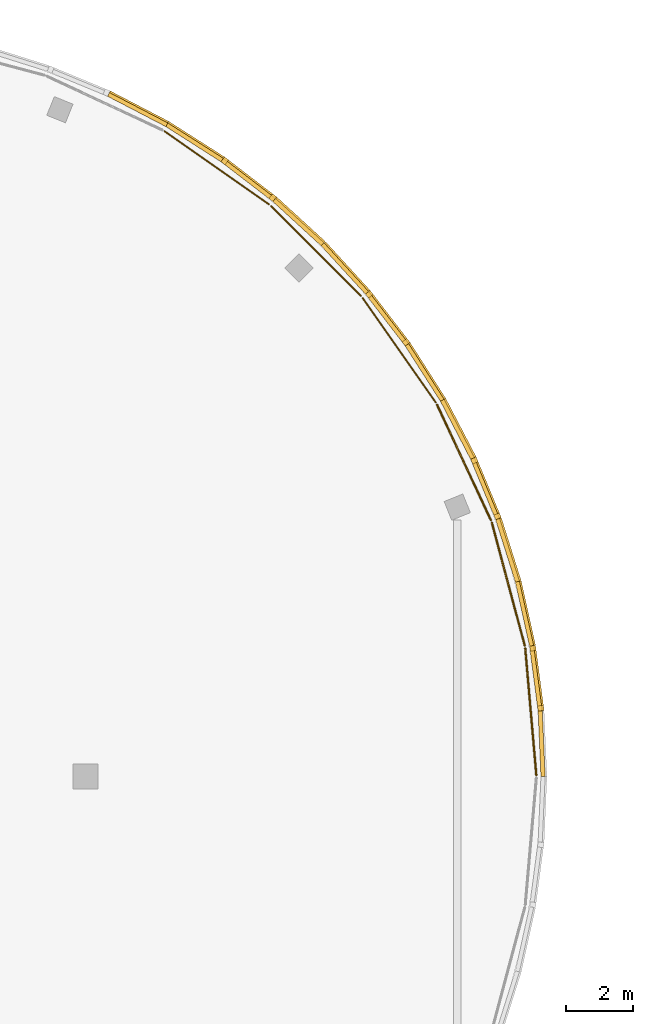
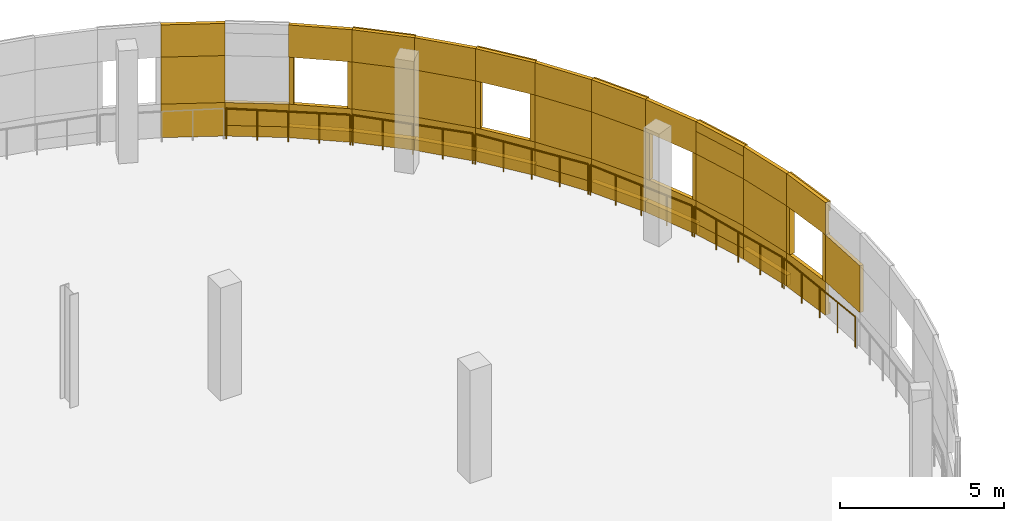
# One storey, part 102 of 103: 56 coverings, 6 railings.
"""IFC4 building model written with IfcOpenShell, lengths in metres."""

from ifc_helpers import new_model, si_unit, direction, frame, origin, origin_2d, place, context, subcontext, project, spatial, rectangle, circle, extrude, material, layer, layer_set, type_object, element, save


model = new_model("IFC4")

# Units and contexts
model_context = context("Model", 3, precision=1e-05, world=origin(), true_north=direction((0.0, 1.0)))
body_context = subcontext(model_context, "Body", "Model", "MODEL_VIEW")
ifc_project = project(units=[si_unit("LENGTHUNIT", "METRE"), si_unit("AREAUNIT", "SQUARE_METRE"), si_unit("VOLUMEUNIT", "CUBIC_METRE"), si_unit("PLANEANGLEUNIT", "RADIAN"), si_unit("MASSUNIT", "GRAM", prefix="KILO")], contexts=[model_context])

# Site, building, storey
site_placement = place(None, origin())
site = spatial("IfcSite", under=ifc_project, at=site_placement, CompositionType="ELEMENT")
building_placement = place(site_placement, origin())
building = spatial("IfcBuilding", under=site, at=building_placement, Name="Deido Ridge Mobility Hub", CompositionType="ELEMENT")
storey_placement = place(building_placement, frame((0.0, 0.0, 12.60009765625)))
storey = spatial("IfcBuildingStorey", under=building, at=storey_placement, Name="L03", CompositionType="ELEMENT", Elevation=12.60009765625)

# Coverings
ifc_material_1 = material(Name="Fired clay brick masonry", Category="masonry")
ifc_layer = layer(ifc_material_1, 0.114990234375, Name="Fired clay brick masonry")
ifc_layer_set = layer_set([ifc_layer], Name="Fired clay brick masonry")
covering_type = type_object("IfcCoveringType", Name="COV-BRK-SCREEN-115", PredefinedType="CLADDING", material=ifc_layer_set)
covering_1_placement = place(storey_placement, frame((139.40478515625, 104.478271484375, 1.25), z_axis=(0.0, 0.0, 1.0), x_axis=(-0.043601950678, 0.999048982732, 0.0)))
element("IfcCovering", 1, at=covering_1_placement, inside=storey, type_object=covering_type, Name="Curved raised brickwork pier BKS1 (L03)", PredefinedType="CLADDING", context=body_context, shape_type="SweptSolid", body=[
    extrude(rectangle(XDim=1.9619140625, YDim=0.125, at=origin_2d()), origin(), (0.0, 0.0, 1.0), 1.75),
])
covering_2_placement = place(storey_placement, frame((139.234375, 106.42724609375, 0.0), z_axis=(0.0, 0.0, 1.0), x_axis=(-0.130543496177, 0.991442583111, 0.0)))
element("IfcCovering", 2, at=covering_2_placement, inside=storey, type_object=covering_type, Name="Open brickwork spandrel course BKS1 (L03)", PredefinedType="CLADDING", context=body_context, shape_type="SweptSolid", body=[
    extrude(rectangle(XDim=1.9619140625, YDim=0.125, at=origin_2d()), origin(), (0.0, 0.0, 1.0), 1.25),
])
covering_3_placement = place(storey_placement, frame((139.26171875, 106.430908203125, 0.0), z_axis=(0.0, 0.0, 1.0), x_axis=(-0.130543496177, 0.991442583111, 0.0)))
element("IfcCovering", 3, at=covering_3_placement, inside=storey, type_object=covering_type, Name="Raised brick relief belt BKS1 (L03)", PredefinedType="CLADDING", context=body_context, shape_type="SweptSolid", body=[
    extrude(rectangle(XDim=1.9619140625, YDim=0.179931640625, at=origin_2d()), origin(), (0.0, 0.0, 1.0), 0.39990234375),
])
covering_4_placement = place(storey_placement, frame((139.234375, 106.42724609375, 3.0), z_axis=(0.0, 0.0, 1.0), x_axis=(-0.130543496177, 0.991442583111, 0.0)))
element("IfcCovering", 4, at=covering_4_placement, inside=storey, type_object=covering_type, Name="Open brickwork lintel course BKS1 (L03)", PredefinedType="CLADDING", context=body_context, shape_type="SweptSolid", body=[
    extrude(rectangle(XDim=1.9619140625, YDim=0.125, at=origin_2d()), origin(), (0.0, 0.0, 1.0), 1.199951171875),
])
covering_5_placement = place(storey_placement, frame((139.26171875, 106.430908203125, 3.83984375), z_axis=(0.0, 0.0, 1.0), x_axis=(-0.130543496177, 0.991442583111, 0.0)))
element("IfcCovering", 5, at=covering_5_placement, inside=storey, type_object=covering_type, Name="Raised brick relief cornice BKS1 (L03)", PredefinedType="CLADDING", context=body_context, shape_type="SweptSolid", body=[
    extrude(rectangle(XDim=1.9619140625, YDim=0.179931640625, at=origin_2d()), origin(), (0.0, 0.0, 1.0), 0.360107421875),
])
for number, where, z_axis, x_axis, name in (
    (6, (139.379150390625, 105.53759765625, 1.25), (0.0, 0.0, 1.0), (-0.130543496177, 0.991442583111, 0.0), "Curved brick jamb nib BKS1 (L03)"),
    (7, (139.14404296875, 107.32421875, 1.25), (0.0, 0.0, 1.0), (-0.130543496177, 0.991442583111, 0.0), "Curved brick jamb nib BKS1 (L03)"),
):
    element("IfcCovering", number, at=place(storey_placement, frame(where, z_axis=z_axis, x_axis=x_axis)), inside=storey, type_object=covering_type, Name=name, PredefinedType="CLADDING", context=body_context, shape_type="SweptSolid", body=[
        extrude(rectangle(XDim=0.152099609375, YDim=0.179931640625, at=origin_2d()), origin(), (0.0, 0.0, 1.0), 1.75),
    ])
covering_6_placement = place(storey_placement, frame((138.89453125, 108.35400390625, 0.0), z_axis=(0.0, 0.0, 1.0), x_axis=(-0.216456653485, 0.976292229387, 0.0)))
element("IfcCovering", 8, at=covering_6_placement, inside=storey, type_object=covering_type, Name="Open brickwork spandrel course BKS1 (L03)", PredefinedType="CLADDING", context=body_context, shape_type="SweptSolid", body=[
    extrude(rectangle(XDim=1.9619140625, YDim=0.125, at=origin_2d()), origin(), (0.0, 0.0, 1.0), 1.25),
])
covering_7_placement = place(storey_placement, frame((138.92138671875, 108.35986328125, 0.0), z_axis=(0.0, 0.0, 1.0), x_axis=(-0.216456653485, 0.976292229387, 0.0)))
element("IfcCovering", 9, at=covering_7_placement, inside=storey, type_object=covering_type, Name="Raised brick relief belt BKS1 (L03)", PredefinedType="CLADDING", context=body_context, shape_type="SweptSolid", body=[
    extrude(rectangle(XDim=1.9619140625, YDim=0.179931640625, at=origin_2d()), origin(), (0.0, 0.0, 1.0), 0.39990234375),
])
covering_8_placement = place(storey_placement, frame((138.89453125, 108.35400390625, 3.0), z_axis=(0.0, 0.0, 1.0), x_axis=(-0.216456653485, 0.976292229387, 0.0)))
element("IfcCovering", 10, at=covering_8_placement, inside=storey, type_object=covering_type, Name="Open brickwork lintel course BKS1 (L03)", PredefinedType="CLADDING", context=body_context, shape_type="SweptSolid", body=[
    extrude(rectangle(XDim=1.9619140625, YDim=0.125, at=origin_2d()), origin(), (0.0, 0.0, 1.0), 1.199951171875),
])
covering_9_placement = place(storey_placement, frame((138.89453125, 108.35400390625, 1.25), z_axis=(0.0, 0.0, 1.0), x_axis=(-0.216456653485, 0.976292229387, 0.0)))
element("IfcCovering", 11, at=covering_9_placement, inside=storey, type_object=covering_type, Name="Curved raised brickwork pier BKS1 (L03)", PredefinedType="CLADDING", context=body_context, shape_type="SweptSolid", body=[
    extrude(rectangle(XDim=1.9619140625, YDim=0.125, at=origin_2d()), origin(), (0.0, 0.0, 1.0), 1.75),
])
covering_10_placement = place(storey_placement, frame((138.38818359375, 110.24365234375, 0.0), z_axis=(0.0, 0.0, 1.0), x_axis=(-0.300672508319, 0.95372744678, 0.0)))
element("IfcCovering", 12, at=covering_10_placement, inside=storey, type_object=covering_type, Name="Open brickwork spandrel course BKS1 (L03)", PredefinedType="CLADDING", context=body_context, shape_type="SweptSolid", body=[
    extrude(rectangle(XDim=1.9619140625, YDim=0.125, at=origin_2d()), origin(), (0.0, 0.0, 1.0), 1.25),
])
covering_11_placement = place(storey_placement, frame((138.414306640625, 110.251953125, 0.0), z_axis=(0.0, 0.0, 1.0), x_axis=(-0.300672508319, 0.95372744678, 0.0)))
element("IfcCovering", 13, at=covering_11_placement, inside=storey, type_object=covering_type, Name="Raised brick relief belt BKS1 (L03)", PredefinedType="CLADDING", context=body_context, shape_type="SweptSolid", body=[
    extrude(rectangle(XDim=1.9619140625, YDim=0.179931640625, at=origin_2d()), origin(), (0.0, 0.0, 1.0), 0.39990234375),
])
covering_12_placement = place(storey_placement, frame((138.38818359375, 110.24365234375, 3.0), z_axis=(0.0, 0.0, 1.0), x_axis=(-0.300672508319, 0.95372744678, 0.0)))
element("IfcCovering", 14, at=covering_12_placement, inside=storey, type_object=covering_type, Name="Open brickwork lintel course BKS1 (L03)", PredefinedType="CLADDING", context=body_context, shape_type="SweptSolid", body=[
    extrude(rectangle(XDim=1.9619140625, YDim=0.125, at=origin_2d()), origin(), (0.0, 0.0, 1.0), 1.199951171875),
])
covering_13_placement = place(storey_placement, frame((138.414306640625, 110.251953125, 3.83984375), z_axis=(0.0, 0.0, 1.0), x_axis=(-0.300672508319, 0.95372744678, 0.0)))
element("IfcCovering", 15, at=covering_13_placement, inside=storey, type_object=covering_type, Name="Raised brick relief cornice BKS1 (L03)", PredefinedType="CLADDING", context=body_context, shape_type="SweptSolid", body=[
    extrude(rectangle(XDim=1.9619140625, YDim=0.179931640625, at=origin_2d()), origin(), (0.0, 0.0, 1.0), 0.360107421875),
])
covering_14_placement = place(storey_placement, frame((138.414306640625, 110.251953125, 1.25), z_axis=(0.0, 0.0, 1.0), x_axis=(-0.300672508319, 0.95372744678, 0.0)))
element("IfcCovering", 16, at=covering_14_placement, inside=storey, type_object=covering_type, Name="Curved raised brickwork pier BKS1 (L03)", PredefinedType="CLADDING", context=body_context, shape_type="SweptSolid", body=[
    extrude(rectangle(XDim=1.9619140625, YDim=0.179931640625, at=origin_2d()), origin(), (0.0, 0.0, 1.0), 1.75),
])
covering_15_placement = place(storey_placement, frame((137.718994140625, 112.08203125, 0.0), z_axis=(0.0, 0.0, 1.0), x_axis=(-0.382699557047, 0.923872853285, 0.0)))
element("IfcCovering", 17, at=covering_15_placement, inside=storey, type_object=covering_type, Name="Open brickwork spandrel course BKS1 (L03)", PredefinedType="CLADDING", context=body_context, shape_type="SweptSolid", body=[
    extrude(rectangle(XDim=1.9619140625, YDim=0.125, at=origin_2d()), origin(), (0.0, 0.0, 1.0), 1.25),
])
covering_16_placement = place(storey_placement, frame((137.744384765625, 112.0927734375, 0.0), z_axis=(0.0, 0.0, 1.0), x_axis=(-0.382699557047, 0.923872853285, 0.0)))
element("IfcCovering", 18, at=covering_16_placement, inside=storey, type_object=covering_type, Name="Raised brick relief belt BKS1 (L03)", PredefinedType="CLADDING", context=body_context, shape_type="SweptSolid", body=[
    extrude(rectangle(XDim=1.9619140625, YDim=0.179931640625, at=origin_2d()), origin(), (0.0, 0.0, 1.0), 0.39990234375),
])
covering_17_placement = place(storey_placement, frame((137.718994140625, 112.08203125, 3.0), z_axis=(0.0, 0.0, 1.0), x_axis=(-0.382699557047, 0.923872853285, 0.0)))
element("IfcCovering", 19, at=covering_17_placement, inside=storey, type_object=covering_type, Name="Open brickwork lintel course BKS1 (L03)", PredefinedType="CLADDING", context=body_context, shape_type="SweptSolid", body=[
    extrude(rectangle(XDim=1.9619140625, YDim=0.125, at=origin_2d()), origin(), (0.0, 0.0, 1.0), 1.199951171875),
])
for number, where, z_axis, x_axis, name in (
    (20, (138.08935546875, 111.26025390625, 1.25), (0.0, 0.0, 1.0), (-0.382699557047, 0.923872853285, 0.0), "Curved brick jamb nib BKS1 (L03)"),
    (21, (137.399658203125, 112.925048828125, 1.25), (0.0, 0.0, 1.0), (-0.382699557047, 0.923872853285, 0.0), "Curved brick jamb nib BKS1 (L03)"),
):
    element("IfcCovering", number, at=place(storey_placement, frame(where, z_axis=z_axis, x_axis=x_axis)), inside=storey, type_object=covering_type, Name=name, PredefinedType="CLADDING", context=body_context, shape_type="SweptSolid", body=[
        extrude(rectangle(XDim=0.152099609375, YDim=0.179931640625, at=origin_2d()), origin(), (0.0, 0.0, 1.0), 1.75),
    ])
covering_18_placement = place(storey_placement, frame((136.892333984375, 113.855224609375, 0.0), z_axis=(0.0, 0.0, 1.0), x_axis=(-0.461733131905, 0.887018892077, 0.0)))
element("IfcCovering", 22, at=covering_18_placement, inside=storey, type_object=covering_type, Name="Open brickwork spandrel course BKS1 (L03)", PredefinedType="CLADDING", context=body_context, shape_type="SweptSolid", body=[
    extrude(rectangle(XDim=1.9619140625, YDim=0.125, at=origin_2d()), origin(), (0.0, 0.0, 1.0), 1.25),
])
covering_19_placement = place(storey_placement, frame((136.916748046875, 113.867919921875, 0.0), z_axis=(0.0, 0.0, 1.0), x_axis=(-0.461733131905, 0.887018892077, 0.0)))
element("IfcCovering", 23, at=covering_19_placement, inside=storey, type_object=covering_type, Name="Raised brick relief belt BKS1 (L03)", PredefinedType="CLADDING", context=body_context, shape_type="SweptSolid", body=[
    extrude(rectangle(XDim=1.9619140625, YDim=0.179931640625, at=origin_2d()), origin(), (0.0, 0.0, 1.0), 0.39990234375),
])
covering_20_placement = place(storey_placement, frame((136.892333984375, 113.855224609375, 3.0), z_axis=(0.0, 0.0, 1.0), x_axis=(-0.461733131905, 0.887018892077, 0.0)))
element("IfcCovering", 24, at=covering_20_placement, inside=storey, type_object=covering_type, Name="Open brickwork lintel course BKS1 (L03)", PredefinedType="CLADDING", context=body_context, shape_type="SweptSolid", body=[
    extrude(rectangle(XDim=1.9619140625, YDim=0.125, at=origin_2d()), origin(), (0.0, 0.0, 1.0), 1.199951171875),
])
covering_21_placement = place(storey_placement, frame((136.916748046875, 113.867919921875, 3.83984375), z_axis=(0.0, 0.0, 1.0), x_axis=(-0.461733131905, 0.887018892077, 0.0)))
element("IfcCovering", 25, at=covering_21_placement, inside=storey, type_object=covering_type, Name="Raised brick relief cornice BKS1 (L03)", PredefinedType="CLADDING", context=body_context, shape_type="SweptSolid", body=[
    extrude(rectangle(XDim=1.9619140625, YDim=0.179931640625, at=origin_2d()), origin(), (0.0, 0.0, 1.0), 0.360107421875),
])
covering_22_placement = place(storey_placement, frame((136.916748046875, 113.867919921875, 1.25), z_axis=(0.0, 0.0, 1.0), x_axis=(-0.461733131905, 0.887018892077, 0.0)))
element("IfcCovering", 26, at=covering_22_placement, inside=storey, type_object=covering_type, Name="Curved raised brickwork pier BKS1 (L03)", PredefinedType="CLADDING", context=body_context, shape_type="SweptSolid", body=[
    extrude(rectangle(XDim=1.9619140625, YDim=0.179931640625, at=origin_2d()), origin(), (0.0, 0.0, 1.0), 1.75),
])
covering_23_placement = place(storey_placement, frame((135.9140625, 115.549560546875, 0.0), z_axis=(0.0, 0.0, 1.0), x_axis=(-0.537314328223, 0.843382068037, 0.0)))
element("IfcCovering", 27, at=covering_23_placement, inside=storey, type_object=covering_type, Name="Open brickwork spandrel course BKS1 (L03)", PredefinedType="CLADDING", context=body_context, shape_type="SweptSolid", body=[
    extrude(rectangle(XDim=1.9619140625, YDim=0.125, at=origin_2d()), origin(), (0.0, 0.0, 1.0), 1.25),
])
covering_24_placement = place(storey_placement, frame((135.937255859375, 115.564208984375, 0.0), z_axis=(0.0, 0.0, 1.0), x_axis=(-0.537314328223, 0.843382068037, 0.0)))
element("IfcCovering", 28, at=covering_24_placement, inside=storey, type_object=covering_type, Name="Raised brick relief belt BKS1 (L03)", PredefinedType="CLADDING", context=body_context, shape_type="SweptSolid", body=[
    extrude(rectangle(XDim=1.9619140625, YDim=0.179931640625, at=origin_2d()), origin(), (0.0, 0.0, 1.0), 0.39990234375),
])
covering_25_placement = place(storey_placement, frame((135.9140625, 115.549560546875, 3.0), z_axis=(0.0, 0.0, 1.0), x_axis=(-0.537314328223, 0.843382068037, 0.0)))
element("IfcCovering", 29, at=covering_25_placement, inside=storey, type_object=covering_type, Name="Open brickwork lintel course BKS1 (L03)", PredefinedType="CLADDING", context=body_context, shape_type="SweptSolid", body=[
    extrude(rectangle(XDim=1.9619140625, YDim=0.125, at=origin_2d()), origin(), (0.0, 0.0, 1.0), 1.199951171875),
])
covering_26_placement = place(storey_placement, frame((135.9140625, 115.549560546875, 1.25), z_axis=(0.0, 0.0, 1.0), x_axis=(-0.537314328223, 0.843382068037, 0.0)))
element("IfcCovering", 30, at=covering_26_placement, inside=storey, type_object=covering_type, Name="Curved raised brickwork pier BKS1 (L03)", PredefinedType="CLADDING", context=body_context, shape_type="SweptSolid", body=[
    extrude(rectangle(XDim=1.9619140625, YDim=0.125, at=origin_2d()), origin(), (0.0, 0.0, 1.0), 1.75),
])
covering_27_placement = place(storey_placement, frame((134.7919921875, 117.152099609375, 0.0), z_axis=(0.0, 0.0, 1.0), x_axis=(-0.608761429009, 0.793353340291, 0.0)))
element("IfcCovering", 31, at=covering_27_placement, inside=storey, type_object=covering_type, Name="Open brickwork spandrel course BKS1 (L03)", PredefinedType="CLADDING", context=body_context, shape_type="SweptSolid", body=[
    extrude(rectangle(XDim=1.9619140625, YDim=0.125, at=origin_2d()), origin(), (0.0, 0.0, 1.0), 1.25),
])
covering_28_placement = place(storey_placement, frame((134.813720703125, 117.1689453125, 0.0), z_axis=(0.0, 0.0, 1.0), x_axis=(-0.608761429009, 0.793353340291, 0.0)))
element("IfcCovering", 32, at=covering_28_placement, inside=storey, type_object=covering_type, Name="Raised brick relief belt BKS1 (L03)", PredefinedType="CLADDING", context=body_context, shape_type="SweptSolid", body=[
    extrude(rectangle(XDim=1.9619140625, YDim=0.179931640625, at=origin_2d()), origin(), (0.0, 0.0, 1.0), 0.39990234375),
])
covering_29_placement = place(storey_placement, frame((134.7919921875, 117.152099609375, 3.0), z_axis=(0.0, 0.0, 1.0), x_axis=(-0.608761429009, 0.793353340291, 0.0)))
element("IfcCovering", 33, at=covering_29_placement, inside=storey, type_object=covering_type, Name="Open brickwork lintel course BKS1 (L03)", PredefinedType="CLADDING", context=body_context, shape_type="SweptSolid", body=[
    extrude(rectangle(XDim=1.9619140625, YDim=0.125, at=origin_2d()), origin(), (0.0, 0.0, 1.0), 1.199951171875),
])
covering_30_placement = place(storey_placement, frame((134.813720703125, 117.1689453125, 3.83984375), z_axis=(0.0, 0.0, 1.0), x_axis=(-0.608761429009, 0.793353340291, 0.0)))
element("IfcCovering", 34, at=covering_30_placement, inside=storey, type_object=covering_type, Name="Raised brick relief cornice BKS1 (L03)", PredefinedType="CLADDING", context=body_context, shape_type="SweptSolid", body=[
    extrude(rectangle(XDim=1.9619140625, YDim=0.179931640625, at=origin_2d()), origin(), (0.0, 0.0, 1.0), 0.360107421875),
])
for number, where, z_axis, x_axis, name in (
    (35, (135.3623046875, 116.4541015625, 1.25), (0.0, 0.0, 1.0), (-0.608761429009, 0.793353340291, 0.0), "Curved brick jamb nib BKS1 (L03)"),
    (36, (134.26513671875, 117.8837890625, 1.25), (0.0, 0.0, 1.0), (-0.608761429009, 0.793353340291, 0.0), "Curved brick jamb nib BKS1 (L03)"),
):
    element("IfcCovering", number, at=place(storey_placement, frame(where, z_axis=z_axis, x_axis=x_axis)), inside=storey, type_object=covering_type, Name=name, PredefinedType="CLADDING", context=body_context, shape_type="SweptSolid", body=[
        extrude(rectangle(XDim=0.152099609375, YDim=0.179931640625, at=origin_2d()), origin(), (0.0, 0.0, 1.0), 1.75),
    ])
covering_31_placement = place(storey_placement, frame((133.5341796875, 118.65087890625, 0.0), z_axis=(0.0, 0.0, 1.0), x_axis=(-0.675577339596, 0.737289127971, 0.0)))
element("IfcCovering", 37, at=covering_31_placement, inside=storey, type_object=covering_type, Name="Open brickwork spandrel course BKS1 (L03)", PredefinedType="CLADDING", context=body_context, shape_type="SweptSolid", body=[
    extrude(rectangle(XDim=1.9619140625, YDim=0.125, at=origin_2d()), origin(), (0.0, 0.0, 1.0), 1.25),
])
covering_32_placement = place(storey_placement, frame((133.5546875, 118.66943359375, 0.0), z_axis=(0.0, 0.0, 1.0), x_axis=(-0.675577339596, 0.737289127971, 0.0)))
element("IfcCovering", 38, at=covering_32_placement, inside=storey, type_object=covering_type, Name="Raised brick relief belt BKS1 (L03)", PredefinedType="CLADDING", context=body_context, shape_type="SweptSolid", body=[
    extrude(rectangle(XDim=1.9619140625, YDim=0.179931640625, at=origin_2d()), origin(), (0.0, 0.0, 1.0), 0.39990234375),
])
covering_33_placement = place(storey_placement, frame((133.5341796875, 118.65087890625, 3.0), z_axis=(0.0, 0.0, 1.0), x_axis=(-0.675577339596, 0.737289127971, 0.0)))
element("IfcCovering", 39, at=covering_33_placement, inside=storey, type_object=covering_type, Name="Open brickwork lintel course BKS1 (L03)", PredefinedType="CLADDING", context=body_context, shape_type="SweptSolid", body=[
    extrude(rectangle(XDim=1.9619140625, YDim=0.125, at=origin_2d()), origin(), (0.0, 0.0, 1.0), 1.199951171875),
])
covering_34_placement = place(storey_placement, frame((133.5341796875, 118.65087890625, 1.25), z_axis=(0.0, 0.0, 1.0), x_axis=(-0.675577339596, 0.737289127971, 0.0)))
element("IfcCovering", 40, at=covering_34_placement, inside=storey, type_object=covering_type, Name="Curved raised brickwork pier BKS1 (L03)", PredefinedType="CLADDING", context=body_context, shape_type="SweptSolid", body=[
    extrude(rectangle(XDim=1.9619140625, YDim=0.125, at=origin_2d()), origin(), (0.0, 0.0, 1.0), 1.75),
])
covering_35_placement = place(storey_placement, frame((132.15087890625, 120.0341796875, 0.0), z_axis=(0.0, 0.0, 1.0), x_axis=(-0.737289127971, 0.675577339596, 0.0)))
element("IfcCovering", 41, at=covering_35_placement, inside=storey, type_object=covering_type, Name="Open brickwork spandrel course BKS1 (L03)", PredefinedType="CLADDING", context=body_context, shape_type="SweptSolid", body=[
    extrude(rectangle(XDim=1.9619140625, YDim=0.125, at=origin_2d()), origin(), (0.0, 0.0, 1.0), 1.25),
])
covering_36_placement = place(storey_placement, frame((132.16943359375, 120.0546875, 0.0), z_axis=(0.0, 0.0, 1.0), x_axis=(-0.737289127971, 0.675577339596, 0.0)))
element("IfcCovering", 42, at=covering_36_placement, inside=storey, type_object=covering_type, Name="Raised brick relief belt BKS1 (L03)", PredefinedType="CLADDING", context=body_context, shape_type="SweptSolid", body=[
    extrude(rectangle(XDim=1.9619140625, YDim=0.179931640625, at=origin_2d()), origin(), (0.0, 0.0, 1.0), 0.39990234375),
])
covering_37_placement = place(storey_placement, frame((132.15087890625, 120.0341796875, 3.0), z_axis=(0.0, 0.0, 1.0), x_axis=(-0.737289127971, 0.675577339596, 0.0)))
element("IfcCovering", 43, at=covering_37_placement, inside=storey, type_object=covering_type, Name="Open brickwork lintel course BKS1 (L03)", PredefinedType="CLADDING", context=body_context, shape_type="SweptSolid", body=[
    extrude(rectangle(XDim=1.9619140625, YDim=0.125, at=origin_2d()), origin(), (0.0, 0.0, 1.0), 1.199951171875),
])
covering_38_placement = place(storey_placement, frame((132.16943359375, 120.0546875, 3.83984375), z_axis=(0.0, 0.0, 1.0), x_axis=(-0.737289127971, 0.675577339596, 0.0)))
element("IfcCovering", 44, at=covering_38_placement, inside=storey, type_object=covering_type, Name="Raised brick relief cornice BKS1 (L03)", PredefinedType="CLADDING", context=body_context, shape_type="SweptSolid", body=[
    extrude(rectangle(XDim=1.9619140625, YDim=0.179931640625, at=origin_2d()), origin(), (0.0, 0.0, 1.0), 0.360107421875),
])
covering_39_placement = place(storey_placement, frame((132.16943359375, 120.0546875, 1.25), z_axis=(0.0, 0.0, 1.0), x_axis=(-0.737289127971, 0.675577339596, 0.0)))
element("IfcCovering", 45, at=covering_39_placement, inside=storey, type_object=covering_type, Name="Curved raised brickwork pier BKS1 (L03)", PredefinedType="CLADDING", context=body_context, shape_type="SweptSolid", body=[
    extrude(rectangle(XDim=1.9619140625, YDim=0.179931640625, at=origin_2d()), origin(), (0.0, 0.0, 1.0), 1.75),
])
covering_40_placement = place(storey_placement, frame((130.652099609375, 121.2919921875, 0.0), z_axis=(0.0, 0.0, 1.0), x_axis=(-0.793353340291, 0.608761429009, 0.0)))
element("IfcCovering", 46, at=covering_40_placement, inside=storey, type_object=covering_type, Name="Open brickwork spandrel course BKS1 (L03)", PredefinedType="CLADDING", context=body_context, shape_type="SweptSolid", body=[
    extrude(rectangle(XDim=1.9619140625, YDim=0.125, at=origin_2d()), origin(), (0.0, 0.0, 1.0), 1.25),
])
covering_41_placement = place(storey_placement, frame((130.6689453125, 121.313720703125, 0.0), z_axis=(0.0, 0.0, 1.0), x_axis=(-0.793353340291, 0.608761429009, 0.0)))
element("IfcCovering", 47, at=covering_41_placement, inside=storey, type_object=covering_type, Name="Raised brick relief belt BKS1 (L03)", PredefinedType="CLADDING", context=body_context, shape_type="SweptSolid", body=[
    extrude(rectangle(XDim=1.9619140625, YDim=0.179931640625, at=origin_2d()), origin(), (0.0, 0.0, 1.0), 0.39990234375),
])
covering_42_placement = place(storey_placement, frame((130.652099609375, 121.2919921875, 3.0), z_axis=(0.0, 0.0, 1.0), x_axis=(-0.793353340291, 0.608761429009, 0.0)))
element("IfcCovering", 48, at=covering_42_placement, inside=storey, type_object=covering_type, Name="Open brickwork lintel course BKS1 (L03)", PredefinedType="CLADDING", context=body_context, shape_type="SweptSolid", body=[
    extrude(rectangle(XDim=1.9619140625, YDim=0.125, at=origin_2d()), origin(), (0.0, 0.0, 1.0), 1.199951171875),
])
for number, where, z_axis, x_axis, name in (
    (49, (131.3837890625, 120.76513671875, 1.25), (0.0, 0.0, 1.0), (-0.793353340291, 0.608761429009, 0.0), "Curved brick jamb nib BKS1 (L03)"),
    (50, (129.9541015625, 121.8623046875, 1.25), (0.0, 0.0, 1.0), (-0.793353340291, 0.608761429009, 0.0), "Curved brick jamb nib BKS1 (L03)"),
):
    element("IfcCovering", number, at=place(storey_placement, frame(where, z_axis=z_axis, x_axis=x_axis)), inside=storey, type_object=covering_type, Name=name, PredefinedType="CLADDING", context=body_context, shape_type="SweptSolid", body=[
        extrude(rectangle(XDim=0.152099609375, YDim=0.179931640625, at=origin_2d()), origin(), (0.0, 0.0, 1.0), 1.75),
    ])
covering_43_placement = place(storey_placement, frame((129.049560546875, 122.4140625, 0.0), z_axis=(0.0, 0.0, 1.0), x_axis=(-0.843382068037, 0.537314328223, 0.0)))
element("IfcCovering", 51, at=covering_43_placement, inside=storey, type_object=covering_type, Name="Open brickwork spandrel course BKS1 (L03)", PredefinedType="CLADDING", context=body_context, shape_type="SweptSolid", body=[
    extrude(rectangle(XDim=1.9619140625, YDim=0.125, at=origin_2d()), origin(), (0.0, 0.0, 1.0), 1.25),
])
covering_44_placement = place(storey_placement, frame((129.064208984375, 122.437255859375, 0.0), z_axis=(0.0, 0.0, 1.0), x_axis=(-0.843382068037, 0.537314328223, 0.0)))
element("IfcCovering", 52, at=covering_44_placement, inside=storey, type_object=covering_type, Name="Raised brick relief belt BKS1 (L03)", PredefinedType="CLADDING", context=body_context, shape_type="SweptSolid", body=[
    extrude(rectangle(XDim=1.9619140625, YDim=0.179931640625, at=origin_2d()), origin(), (0.0, 0.0, 1.0), 0.39990234375),
])
covering_45_placement = place(storey_placement, frame((127.355224609375, 123.392333984375, 0.0), z_axis=(0.0, 0.0, 1.0), x_axis=(-0.887018892077, 0.461733131905, 0.0)))
element("IfcCovering", 53, at=covering_45_placement, inside=storey, type_object=covering_type, Name="Open brickwork spandrel course BKS1 (L03)", PredefinedType="CLADDING", context=body_context, shape_type="SweptSolid", body=[
    extrude(rectangle(XDim=1.9619140625, YDim=0.125, at=origin_2d()), origin(), (0.0, 0.0, 1.0), 1.25),
])
covering_46_placement = place(storey_placement, frame((127.367919921875, 123.416748046875, 0.0), z_axis=(0.0, 0.0, 1.0), x_axis=(-0.887018892077, 0.461733131905, 0.0)))
element("IfcCovering", 54, at=covering_46_placement, inside=storey, type_object=covering_type, Name="Raised brick relief belt BKS1 (L03)", PredefinedType="CLADDING", context=body_context, shape_type="SweptSolid", body=[
    extrude(rectangle(XDim=1.9619140625, YDim=0.179931640625, at=origin_2d()), origin(), (0.0, 0.0, 1.0), 0.39990234375),
])
covering_47_placement = place(storey_placement, frame((127.355224609375, 123.392333984375, 3.0), z_axis=(0.0, 0.0, 1.0), x_axis=(-0.887018892077, 0.461733131905, 0.0)))
element("IfcCovering", 55, at=covering_47_placement, inside=storey, type_object=covering_type, Name="Open brickwork lintel course BKS1 (L03)", PredefinedType="CLADDING", context=body_context, shape_type="SweptSolid", body=[
    extrude(rectangle(XDim=1.9619140625, YDim=0.125, at=origin_2d()), origin(), (0.0, 0.0, 1.0), 1.199951171875),
])
covering_48_placement = place(storey_placement, frame((127.355224609375, 123.392333984375, 1.25), z_axis=(0.0, 0.0, 1.0), x_axis=(-0.887018892077, 0.461733131905, 0.0)))
element("IfcCovering", 56, at=covering_48_placement, inside=storey, type_object=covering_type, Name="Curved raised brickwork pier BKS1 (L03)", PredefinedType="CLADDING", context=body_context, shape_type="SweptSolid", body=[
    extrude(rectangle(XDim=1.9619140625, YDim=0.125, at=origin_2d()), origin(), (0.0, 0.0, 1.0), 1.75),
])

# Railings
ifc_material_2 = material(Name="Galvanised steel work", Category="steel")
railing_type = type_object("IfcRailingType", Name="RL-GRD-EXT-1150", PredefinedType="GUARDRAIL", material=ifc_material_2)
railing_1_placement = place(storey_placement, frame((139.24658203125, 103.539794921875, 0.0)))
element("IfcRailing", 57, at=railing_1_placement, inside=storey, type_object=railing_type, Name="Parking drum perimeter guard (L03)", PredefinedType="GUARDRAIL", context=body_context, shape_type="SweptSolid", body=[
    extrude(circle(Radius=0.02392578125, at=origin_2d()), frame((0.0, 0.0, 1.1259765625), z_axis=(-0.08715100469, 0.996195112607, 0.0), x_axis=(-0.996195112607, -0.08715100469, 0.0)), (0.0, 0.0, 1.0), 3.798583984375),
    extrude(circle(Radius=0.02099609375, at=origin_2d()), origin(), (0.0, 0.0, 1.0), 1.101806640625),
    extrude(circle(Radius=0.02099609375, at=origin_2d()), frame((-0.082763671875, 0.946044921875, 0.0)), (0.0, 0.0, 1.0), 1.101806640625),
    extrude(circle(Radius=0.02099609375, at=origin_2d()), frame((-0.16552734375, 1.89208984375, 0.0)), (0.0, 0.0, 1.0), 1.101806640625),
    extrude(circle(Radius=0.02099609375, at=origin_2d()), frame((-0.248291015625, 2.838134765625, 0.0)), (0.0, 0.0, 1.0), 1.101806640625),
    extrude(circle(Radius=0.02099609375, at=origin_2d()), frame((-0.3310546875, 3.7841796875, 0.0)), (0.0, 0.0, 1.0), 1.101806640625),
])
railing_2_placement = place(storey_placement, frame((138.901611328125, 107.40234375, 0.0)))
element("IfcRailing", 58, at=railing_2_placement, inside=storey, type_object=railing_type, Name="Parking drum perimeter guard (L03)", PredefinedType="GUARDRAIL", context=body_context, shape_type="SweptSolid", body=[
    extrude(circle(Radius=0.02392578125, at=origin_2d()), frame((0.0, 0.0, 1.1259765625), z_axis=(-0.258774639064, 0.965937723757, 0.0), x_axis=(-0.965937723757, -0.258774639064, 0.0)), (0.0, 0.0, 1.0), 3.79833984375),
    extrude(circle(Radius=0.02099609375, at=origin_2d()), origin(), (0.0, 0.0, 1.0), 1.101806640625),
    extrude(circle(Radius=0.02099609375, at=origin_2d()), frame((-0.24560546875, 0.917236328125, 0.0)), (0.0, 0.0, 1.0), 1.101806640625),
    extrude(circle(Radius=0.02099609375, at=origin_2d()), frame((-0.491455078125, 1.83447265625, 0.0)), (0.0, 0.0, 1.0), 1.101806640625),
    extrude(circle(Radius=0.02099609375, at=origin_2d()), frame((-0.7373046875, 2.751708984375, 0.0)), (0.0, 0.0, 1.0), 1.101806640625),
    extrude(circle(Radius=0.02099609375, at=origin_2d()), frame((-0.98291015625, 3.6689453125, 0.0)), (0.0, 0.0, 1.0), 1.101806640625),
])
railing_3_placement = place(storey_placement, frame((137.891357421875, 111.146240234375, 0.0)))
element("IfcRailing", 59, at=railing_3_placement, inside=storey, type_object=railing_type, Name="Parking drum perimeter guard (L03)", PredefinedType="GUARDRAIL", context=body_context, shape_type="SweptSolid", body=[
    extrude(circle(Radius=0.02392578125, at=origin_2d()), frame((0.0, 0.0, 1.1259765625), z_axis=(-0.422674330627, 0.906281639574, 0.0), x_axis=(-0.906281639574, -0.422674330627, 0.0)), (0.0, 0.0, 1.0), 3.79833984375),
    extrude(circle(Radius=0.02099609375, at=origin_2d()), origin(), (0.0, 0.0, 1.0), 1.101806640625),
    extrude(circle(Radius=0.02099609375, at=origin_2d()), frame((-0.4013671875, 0.860595703125, 0.0)), (0.0, 0.0, 1.0), 1.101806640625),
    extrude(circle(Radius=0.02099609375, at=origin_2d()), frame((-0.802734375, 1.72119140625, 0.0)), (0.0, 0.0, 1.0), 1.101806640625),
    extrude(circle(Radius=0.02099609375, at=origin_2d()), frame((-1.2041015625, 2.581787109375, 0.0)), (0.0, 0.0, 1.0), 1.101806640625),
    extrude(circle(Radius=0.02099609375, at=origin_2d()), frame((-1.60546875, 3.4423828125, 0.0)), (0.0, 0.0, 1.0), 1.101806640625),
])
railing_4_placement = place(storey_placement, frame((136.24609375, 114.65771484375, 0.0)))
element("IfcRailing", 60, at=railing_4_placement, inside=storey, type_object=railing_type, Name="Parking drum perimeter guard (L03)", PredefinedType="GUARDRAIL", context=body_context, shape_type="SweptSolid", body=[
    extrude(circle(Radius=0.02392578125, at=origin_2d()), frame((0.0, 0.0, 1.1259765625), z_axis=(-0.573570179609, 0.819156425271, 0.0), x_axis=(-0.819156425271, -0.573570179609, 0.0)), (0.0, 0.0, 1.0), 3.798583984375),
    extrude(circle(Radius=0.02099609375, at=origin_2d()), origin(), (0.0, 0.0, 1.0), 1.101806640625),
    extrude(circle(Radius=0.02099609375, at=origin_2d()), frame((-0.544677734375, 0.77783203125, 0.0)), (0.0, 0.0, 1.0), 1.101806640625),
    extrude(circle(Radius=0.02099609375, at=origin_2d()), frame((-1.08935546875, 1.5556640625, 0.0)), (0.0, 0.0, 1.0), 1.101806640625),
    extrude(circle(Radius=0.02099609375, at=origin_2d()), frame((-1.634033203125, 2.333740234375, 0.0)), (0.0, 0.0, 1.0), 1.101806640625),
    extrude(circle(Radius=0.02099609375, at=origin_2d()), frame((-2.1787109375, 3.111572265625, 0.0)), (0.0, 0.0, 1.0), 1.101806640625),
])
railing_5_placement = place(storey_placement, frame((134.01611328125, 117.830322265625, 0.0)))
element("IfcRailing", 61, at=railing_5_placement, inside=storey, type_object=railing_type, Name="Parking drum perimeter guard (L03)", PredefinedType="GUARDRAIL", context=body_context, shape_type="SweptSolid", body=[
    extrude(circle(Radius=0.02392578125, at=origin_2d()), frame((0.0, 0.0, 1.1259765625), z_axis=(-0.707106781187, 0.707106781187, 0.0), x_axis=(-0.707106781187, -0.707106781187, 0.0)), (0.0, 0.0, 1.0), 3.79833984375),
    extrude(circle(Radius=0.02099609375, at=origin_2d()), origin(), (0.0, 0.0, 1.0), 1.101806640625),
    extrude(circle(Radius=0.02099609375, at=origin_2d()), frame((-0.67138671875, 0.67138671875, 0.0)), (0.0, 0.0, 1.0), 1.101806640625),
    extrude(circle(Radius=0.02099609375, at=origin_2d()), frame((-1.3427734375, 1.3427734375, 0.0)), (0.0, 0.0, 1.0), 1.101806640625),
    extrude(circle(Radius=0.02099609375, at=origin_2d()), frame((-2.014404296875, 2.014404296875, 0.0)), (0.0, 0.0, 1.0), 1.101806640625),
    extrude(circle(Radius=0.02099609375, at=origin_2d()), frame((-2.685791015625, 2.685791015625, 0.0)), (0.0, 0.0, 1.0), 1.101806640625),
])
railing_6_placement = place(storey_placement, frame((131.269287109375, 120.5673828125, 0.0)))
element("IfcRailing", 62, at=railing_6_placement, inside=storey, type_object=railing_type, Name="Parking drum perimeter guard (L03)", PredefinedType="GUARDRAIL", context=body_context, shape_type="SweptSolid", body=[
    extrude(circle(Radius=0.02392578125, at=origin_2d()), frame((0.0, 0.0, 1.1259765625), z_axis=(-0.819156425271, 0.573570179609, 0.0), x_axis=(-0.573570179609, -0.819156425271, 0.0)), (0.0, 0.0, 1.0), 3.798583984375),
    extrude(circle(Radius=0.02099609375, at=origin_2d()), origin(), (0.0, 0.0, 1.0), 1.101806640625),
    extrude(circle(Radius=0.02099609375, at=origin_2d()), frame((-0.77783203125, 0.544677734375, 0.0)), (0.0, 0.0, 1.0), 1.101806640625),
    extrude(circle(Radius=0.02099609375, at=origin_2d()), frame((-1.5556640625, 1.08935546875, 0.0)), (0.0, 0.0, 1.0), 1.101806640625),
    extrude(circle(Radius=0.02099609375, at=origin_2d()), frame((-2.333740234375, 1.634033203125, 0.0)), (0.0, 0.0, 1.0), 1.101806640625),
    extrude(circle(Radius=0.02099609375, at=origin_2d()), frame((-3.111572265625, 2.1787109375, 0.0)), (0.0, 0.0, 1.0), 1.101806640625),
])

save(model, "model.ifc")
